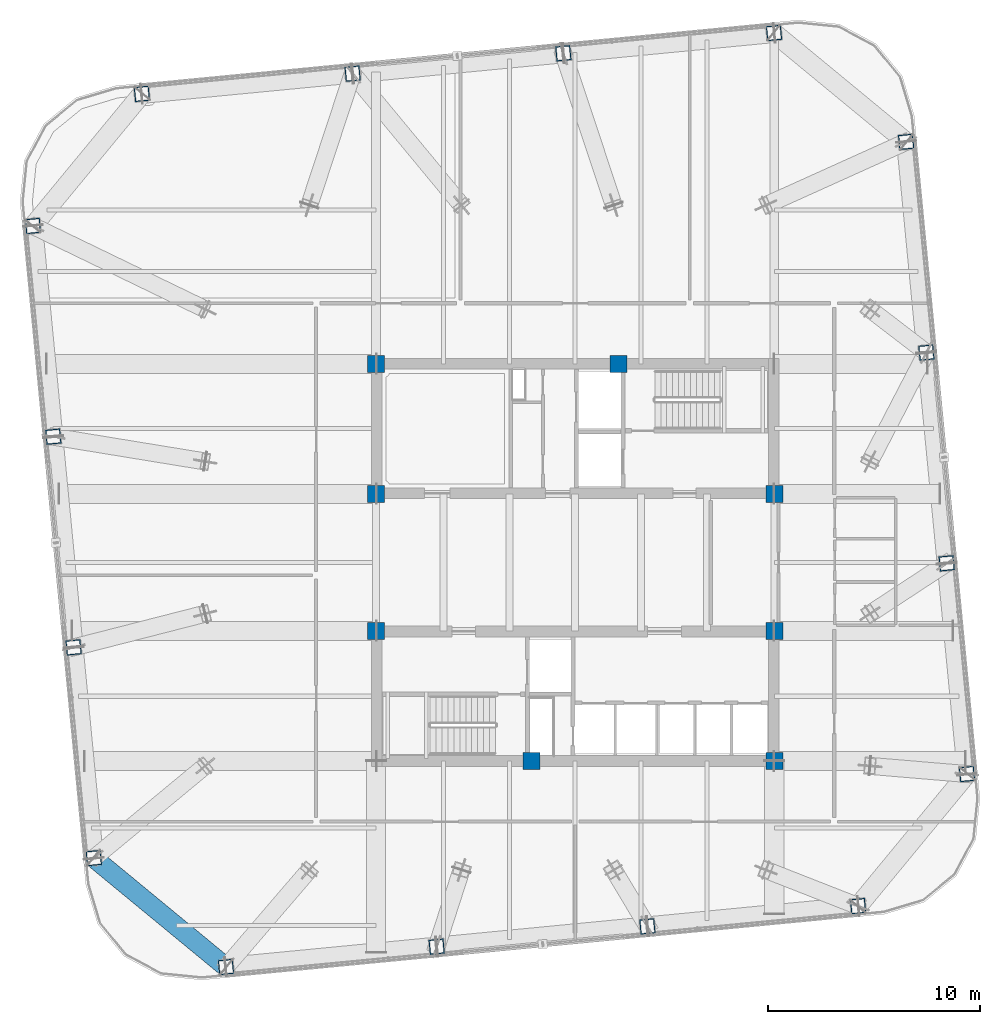
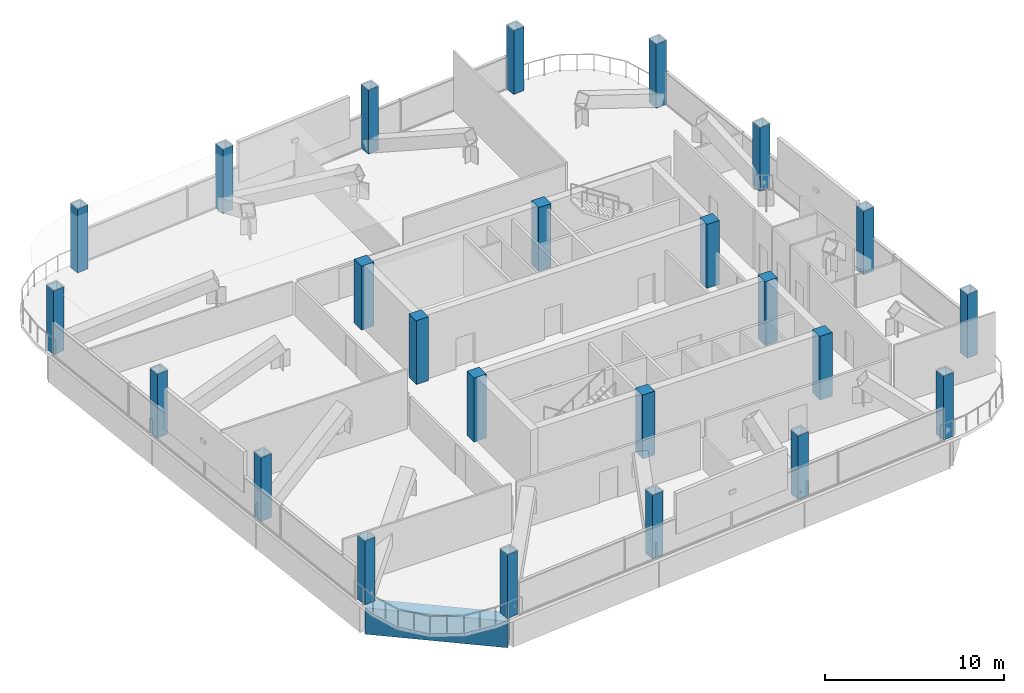
# One storey, part 1 of 22: 24 columns, 1 beam.
"""IFC4 building model written with IfcOpenShell, lengths in metres."""

from ifc_helpers import new_model, si_unit, direction, frame, origin, origin_2d, place, context, subcontext, project, spatial, rectangle, hollow_rectangle, extrude, material, material_profile, profile_set, type_object, element, save


model = new_model("IFC4")

# Units and contexts
model_context = context("Model", 3, precision=1e-05, world=origin(), true_north=direction((0.0, 1.0)))
body_context = subcontext(model_context, "Body", "Model", "MODEL_VIEW")
ifc_project = project(units=[si_unit("LENGTHUNIT", "METRE"), si_unit("AREAUNIT", "SQUARE_METRE"), si_unit("VOLUMEUNIT", "CUBIC_METRE"), si_unit("PLANEANGLEUNIT", "RADIAN"), si_unit("MASSUNIT", "GRAM", prefix="KILO")], contexts=[model_context])

# Site, building, storey
site_placement = place(None, origin())
site = spatial("IfcSite", under=ifc_project, at=site_placement, CompositionType="ELEMENT")
building_placement = place(site_placement, origin())
building = spatial("IfcBuilding", under=site, at=building_placement, Name="Qhalaya Broadcast Tower", CompositionType="ELEMENT")
storey_placement = place(building_placement, frame((0.0, 0.0, 183.60009765625)))
storey = spatial("IfcBuildingStorey", under=building, at=storey_placement, Name="L54", CompositionType="ELEMENT", Elevation=183.60009765625)

# Columns
ifc_material_1 = material(Name="Concrete C50/60", Category="concrete")
ifc_material_profile_1 = material_profile(ifc_material_1, rectangle(XDim=0.800048828125, YDim=0.800048828125, at=origin_2d()), Name="RC-COL 800x800")
ifc_profile_set_1 = profile_set([ifc_material_profile_1], Name="Concrete C50/60")
column_type_1 = type_object("IfcColumnType", Name="RC Upper Column C10", PredefinedType="COLUMN", material=ifc_profile_set_1)
for number, where, z_axis, x_axis, name in (
    (1, (-9.375, 9.949951171875, 0.0), (0.0, 0.0, 1.0), (1.0, 0.0, 0.0), "L54 Column COL-CC1"),
    (2, (2.050048828125, 9.949951171875, 0.0), (0.0, 0.0, 1.0), (1.0, 0.0, 0.0), "L54 Column COL-CC2"),
    (3, (-9.375, 3.824951171875, 0.0), (0.0, 0.0, 1.0), (1.0, 0.0, 0.0), "L54 Column COL-CC3"),
    (4, (9.375, 3.824951171875, 0.0), (0.0, 0.0, 1.0), (1.0, 0.0, 0.0), "L54 Column COL-CC4"),
    (5, (-9.375, -2.625, 0.0), (0.0, 0.0, 1.0), (1.0, 0.0, 0.0), "L54 Column COL-CC5"),
    (6, (9.375, -2.625, 0.0), (0.0, 0.0, 1.0), (1.0, 0.0, 0.0), "L54 Column COL-CC6"),
    (7, (-2.050048828125, -8.75, 0.0), (0.0, 0.0, 1.0), (1.0, 0.0, 0.0), "L54 Column COL-CC7"),
    (8, (9.375, -8.75, 0.0), (0.0, 0.0, 1.0), (1.0, 0.0, 0.0), "L54 Column COL-CC8"),
):
    element("IfcColumn", number, at=place(storey_placement, frame(where, z_axis=z_axis, x_axis=x_axis)), inside=storey, type_object=column_type_1, Name=name, PredefinedType="COLUMN", context=body_context, shape_type="SweptSolid", body=[
        extrude(rectangle(XDim=0.800048828125, YDim=0.800048828125, at=origin_2d()), origin(), (0.0, 0.0, 1.0), 4.349853515625),
    ])
ifc_material_2 = material(Name="Structural Steel ASTM A572 Grade 50", Category="steel")
ifc_material_profile_2 = material_profile(ifc_material_2, hollow_rectangle(XDim=0.699951171875, YDim=0.699951171875, WallThickness=0.044921875, at=origin_2d()), Name="BOX 700x700x45")
ifc_profile_set_2 = profile_set([ifc_material_profile_2], Name="Structural Steel ASTM A572 Grade 50")
column_type_2 = type_object("IfcColumnType", Name="Steel Box Column C04", PredefinedType="COLUMN", material=ifc_profile_set_2)
for number, where, z_axis, x_axis, name in (
    (9, (-16.44189453125, -18.44775390625, 0.0), (0.0, 0.0, 1.0), (0.995396198367, 0.09584575252, 0.0), "L54 Column COL-EX01"),
    (10, (-6.521240234375, -17.49267578125, 0.0), (0.0, 0.0, 1.0), (0.995396198367, 0.09584575252, 0.0), "L54 Column COL-EX02"),
    (11, (3.399658203125, -16.537353515625, 0.0), (0.0, 0.0, 1.0), (0.995396198367, 0.09584575252, 0.0), "L54 Column COL-EX03"),
    (12, (13.3203125, -15.58203125, 0.0), (0.0, 0.0, 1.0), (0.995396198367, 0.09584575252, 0.0), "L54 Column COL-EX04"),
    (13, (18.44775390625, -9.362060546875, 0.0), (0.0, 0.0, 1.0), (-0.09584575252, 0.995396198367, 0.0), "L54 Column COL-EX05"),
    (14, (17.49267578125, 0.558837890625, 0.0), (0.0, 0.0, 1.0), (-0.09584575252, 0.995396198367, 0.0), "L54 Column COL-EX06"),
    (15, (16.537353515625, 10.4794921875, 0.0), (0.0, 0.0, 1.0), (-0.09584575252, 0.995396198367, 0.0), "L54 Column COL-EX07"),
    (16, (15.58203125, 20.400390625, 0.0), (0.0, 0.0, 1.0), (-0.09584575252, 0.995396198367, 0.0), "L54 Column COL-EX08"),
    (17, (9.362060546875, 25.52783203125, 0.0), (0.0, 0.0, 1.0), (0.995396198367, 0.09584575252, 0.0), "L54 Column COL-EX09"),
    (18, (-0.558837890625, 24.572509765625, 0.0), (0.0, 0.0, 1.0), (0.995396198367, 0.09584575252, 0.0), "L54 Column COL-EX10"),
    (19, (-10.4794921875, 23.6171875, 0.0), (0.0, 0.0, 1.0), (0.995396198367, 0.09584575252, 0.0), "L54 Column COL-EX11"),
    (20, (-20.400390625, 22.662109375, 0.0), (0.0, 0.0, 1.0), (0.995396198367, 0.09584575252, 0.0), "L54 Column COL-EX12"),
    (21, (-25.52783203125, 16.44189453125, 0.0), (0.0, 0.0, 1.0), (-0.09584575252, 0.995396198367, 0.0), "L54 Column COL-EX13"),
    (22, (-24.572509765625, 6.521240234375, 0.0), (0.0, 0.0, 1.0), (-0.09584575252, 0.995396198367, 0.0), "L54 Column COL-EX14"),
    (23, (-23.6171875, -3.399658203125, 0.0), (0.0, 0.0, 1.0), (-0.09584575252, 0.995396198367, 0.0), "L54 Column COL-EX15"),
    (24, (-22.662109375, -13.3203125, 0.0), (0.0, 0.0, 1.0), (-0.09584575252, 0.995396198367, 0.0), "L54 Column COL-EX16"),
):
    element("IfcColumn", number, at=place(storey_placement, frame(where, z_axis=z_axis, x_axis=x_axis)), inside=storey, type_object=column_type_2, Name=name, PredefinedType="COLUMN", context=body_context, shape_type="SweptSolid", body=[
        extrude(hollow_rectangle(XDim=0.699951171875, YDim=0.699951171875, WallThickness=0.044921875, at=origin_2d()), origin(), (0.0, 0.0, 1.0), 4.349853515625),
    ])

# Beam
ifc_material_profile_3 = material_profile(ifc_material_2, hollow_rectangle(XDim=0.89990234375, YDim=1.800048828125, WallThickness=0.06005859375, at=origin_2d()), Name="BOX 900x1800x60")
ifc_profile_set_3 = profile_set([ifc_material_profile_3], Name="Structural Steel ASTM A572 Grade 50")
beam_type = type_object("IfcBeamType", Name="Block Cantilever Transfer Box Girder TG1", PredefinedType="USERDEFINED", material=ifc_profile_set_3)
beam_placement = place(storey_placement, frame((-22.662109375, -13.3203125, -1.1201171875), z_axis=(0.771631160126, -0.636070241972, 0.0), x_axis=(0.636070241972, 0.771631160126, 0.0)))
element("IfcBeam", 25, at=beam_placement, inside=storey, type_object=beam_type, Name="L54 TG1 L54-SPR-16", ObjectType="GIRDER", PredefinedType="USERDEFINED", context=body_context, shape_type="SweptSolid", body=[
    extrude(hollow_rectangle(XDim=0.89990234375, YDim=1.800048828125, WallThickness=0.06005859375, at=origin_2d()), origin(), (0.0, 0.0, 1.0), 8.06103515625),
])

save(model, "model.ifc")
